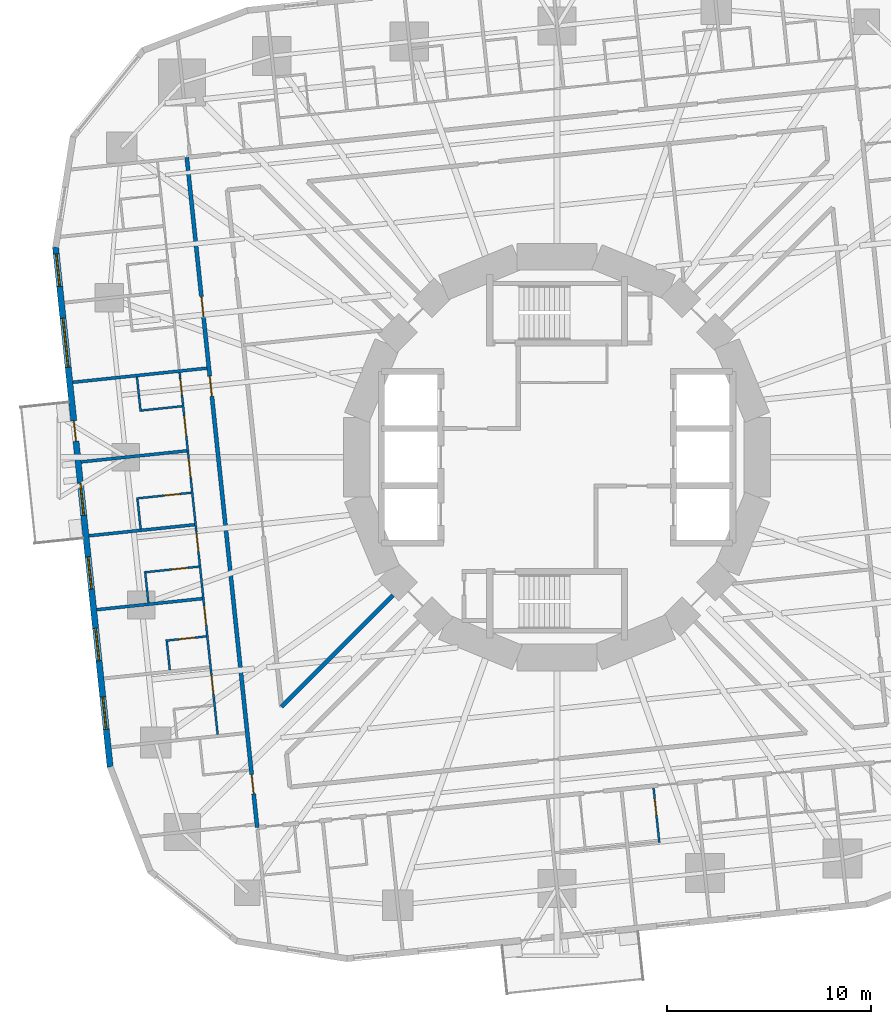
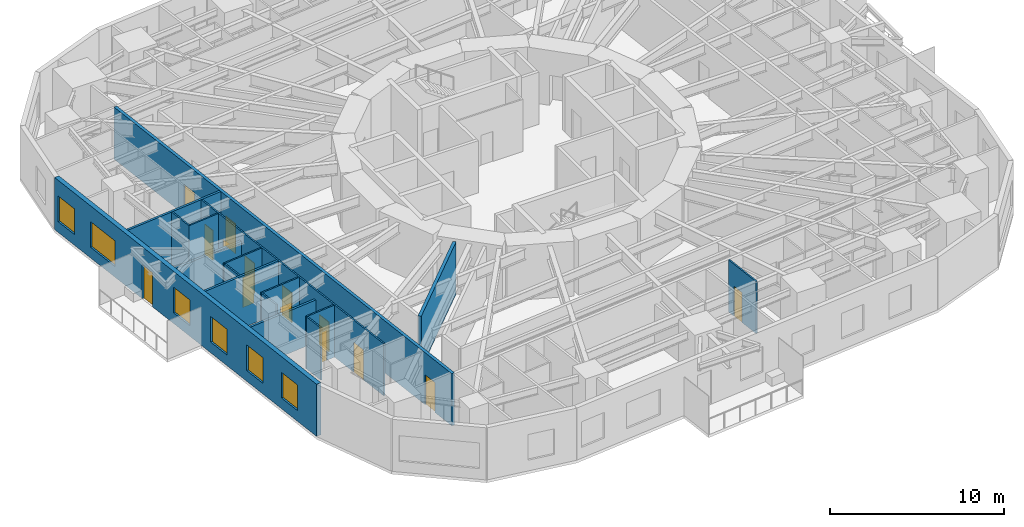
# One storey, part 6 of 15: 17 walls, 14 doors, 6 windows, 20 openings.
"""IFC4 building model written with IfcOpenShell, lengths in metres."""

from ifc_helpers import new_model, si_unit, direction, frame, frame_2d, origin, place, context, subcontext, project, spatial, rectangle, extrude, material, layer, layer_set, type_object, element, fill, save


model = new_model("IFC4")

# Units and contexts
model_context = context("Model", 3, precision=1e-05, world=origin(), true_north=direction((0.0, 1.0)))
body_context = subcontext(model_context, "Body", "Model", "MODEL_VIEW")
ifc_project = project(units=[si_unit("LENGTHUNIT", "METRE"), si_unit("AREAUNIT", "SQUARE_METRE"), si_unit("VOLUMEUNIT", "CUBIC_METRE"), si_unit("PLANEANGLEUNIT", "RADIAN"), si_unit("MASSUNIT", "GRAM", prefix="KILO")], contexts=[model_context])

# Site, building, storey
site_placement = place(None, origin())
site = spatial("IfcSite", under=ifc_project, at=site_placement, CompositionType="ELEMENT")
building_placement = place(site_placement, origin())
building = spatial("IfcBuilding", under=site, at=building_placement, Name="Nakasero Lantern House", CompositionType="ELEMENT")
storey_placement = place(building_placement, frame((0.0, 0.0, 68.199951171875)))
storey = spatial("IfcBuildingStorey", under=building, at=storey_placement, Name="L16", CompositionType="ELEMENT", Elevation=68.199951171875)

# Wall, openings, doors
ifc_material_1 = material(Name="Blockwork", Category="masonry")
ifc_layer_1 = layer(ifc_material_1, 0.10009765625)
ifc_layer_set_1 = layer_set([ifc_layer_1], Name="Cluster hall wall 100")
wall_type_1 = type_object("IfcWallType", Name="Cluster hall wall 100", PredefinedType="PARTITIONING", material=ifc_layer_set_1)
wall_1_placement = place(storey_placement, frame((-18.484375, 4.143798828125, 0.0), z_axis=(0.0, 0.0, 1.0), x_axis=(0.104524313484, -0.994522331519, 0.0)))
wall_1 = element("IfcWall", 1, at=wall_1_placement, inside=storey, type_object=wall_type_1, Name="Cluster hall wall L16 HW2-1", PredefinedType="PARTITIONING", context=body_context, shape_type="SweptSolid", body=[
    extrude(rectangle(XDim=17.8193359375, YDim=0.10009765625, at=frame_2d((8.90966796875, 0.0))), origin(), (0.0, 0.0, 1.0), 3.650146484375),
])
opening_1_placement = place(wall_1_placement, frame((2.125, 0.0, 0.0)))
opening_1 = element("IfcOpeningElement", 2, at=opening_1_placement, cuts=wall_1, Name="Opening D03", PredefinedType="OPENING", context=body_context, shape_type="SweptSolid", body=[
    extrude(rectangle(XDim=1.0, YDim=2.10009765625, at=frame_2d((0.5, 1.050048828125))), frame((0.0, 0.070068359375, 0.0), z_axis=(0.0, -1.0, 0.0), x_axis=(1.0, 0.0, 0.0)), (0.0, 0.0, 1.0), 0.14013671875),
])
opening_2_placement = place(wall_1_placement, frame((0.300048828125, 0.0, 0.0)))
opening_2 = element("IfcOpeningElement", 3, at=opening_2_placement, cuts=wall_1, Name="Opening D02", PredefinedType="OPENING", context=body_context, shape_type="SweptSolid", body=[
    extrude(rectangle(XDim=0.800048828125, YDim=2.10009765625, at=frame_2d((0.39990234375, 1.050048828125))), frame((0.0, 0.070068359375, 0.0), z_axis=(0.0, -1.0, 0.0), x_axis=(1.0, 0.0, 0.0)), (0.0, 0.0, 1.0), 0.14013671875),
])
opening_3_placement = place(wall_1_placement, frame((4.22119140625, 0.0, 0.0)))
opening_3 = element("IfcOpeningElement", 4, at=opening_3_placement, cuts=wall_1, Name="Opening D01", PredefinedType="OPENING", context=body_context, shape_type="SweptSolid", body=[
    extrude(rectangle(XDim=0.949951171875, YDim=2.10009765625, at=frame_2d((0.47509765625, 1.050048828125))), frame((0.0, 0.070068359375, 0.0), z_axis=(0.0, -1.0, 0.0), x_axis=(1.0, 0.0, 0.0)), (0.0, 0.0, 1.0), 0.14013671875),
])
opening_4_placement = place(wall_1_placement, frame((7.859619140625, 0.0, 0.0)))
opening_4 = element("IfcOpeningElement", 5, at=opening_4_placement, cuts=wall_1, Name="Opening D01", PredefinedType="OPENING", context=body_context, shape_type="SweptSolid", body=[
    extrude(rectangle(XDim=0.949951171875, YDim=2.10009765625, at=frame_2d((0.47509765625, 1.050048828125))), frame((0.0, 0.070068359375, 0.0), z_axis=(0.0, -1.0, 0.0), x_axis=(1.0, 0.0, 0.0)), (0.0, 0.0, 1.0), 0.14013671875),
])
opening_5_placement = place(wall_1_placement, frame((11.498291015625, 0.0, 0.0)))
opening_5 = element("IfcOpeningElement", 6, at=opening_5_placement, cuts=wall_1, Name="Opening D01", PredefinedType="OPENING", context=body_context, shape_type="SweptSolid", body=[
    extrude(rectangle(XDim=0.949951171875, YDim=2.10009765625, at=frame_2d((0.47509765625, 1.050048828125))), frame((0.0, 0.070068359375, 0.0), z_axis=(0.0, -1.0, 0.0), x_axis=(1.0, 0.0, 0.0)), (0.0, 0.0, 1.0), 0.14013671875),
])
opening_6_placement = place(wall_1_placement, frame((14.8837890625, 0.0, 0.0)))
opening_6 = element("IfcOpeningElement", 7, at=opening_6_placement, cuts=wall_1, Name="Opening D01", PredefinedType="OPENING", context=body_context, shape_type="SweptSolid", body=[
    extrude(rectangle(XDim=0.949951171875, YDim=2.10009765625, at=frame_2d((0.47509765625, 1.050048828125))), frame((0.0, 0.070068359375, 0.0), z_axis=(0.0, -1.0, 0.0), x_axis=(1.0, 0.0, 0.0)), (0.0, 0.0, 1.0), 0.14013671875),
])
ifc_material_2 = material(Name="Timber C24", Category="wood")
door_type_1 = type_object("IfcDoorType", Name="Bedroom door FD30S 950", OperationType="SINGLE_SWING_LEFT", PredefinedType="DOOR", material=ifc_material_2)
door_1_placement = place(opening_3_placement, origin())
door_1 = element("IfcDoor", 8, at=door_1_placement, inside=storey, type_object=door_type_1, Name="Door L16 D2-04", OperationType="SINGLE_SWING_LEFT", OverallHeight=2.10009765625, OverallWidth=0.949951171875, PredefinedType="DOOR", context=body_context, shape_type="SweptSolid", body=[
    extrude(rectangle(XDim=0.949951171875, YDim=2.10009765625, at=frame_2d((0.47509765625, 1.050048828125))), frame((0.0, 0.02490234375, 0.0), z_axis=(0.0, -1.0, 0.0), x_axis=(1.0, 0.0, 0.0)), (0.0, 0.0, 1.0), 0.050048828125),
])
fill(opening_3, door_1)
door_2_placement = place(opening_4_placement, origin())
door_2 = element("IfcDoor", 9, at=door_2_placement, inside=storey, type_object=door_type_1, Name="Door L16 D2-05", OperationType="SINGLE_SWING_LEFT", OverallHeight=2.10009765625, OverallWidth=0.949951171875, PredefinedType="DOOR", context=body_context, shape_type="SweptSolid", body=[
    extrude(rectangle(XDim=0.949951171875, YDim=2.10009765625, at=frame_2d((0.47509765625, 1.050048828125))), frame((0.0, 0.02490234375, 0.0), z_axis=(0.0, -1.0, 0.0), x_axis=(1.0, 0.0, 0.0)), (0.0, 0.0, 1.0), 0.050048828125),
])
fill(opening_4, door_2)
door_3_placement = place(opening_5_placement, origin())
door_3 = element("IfcDoor", 10, at=door_3_placement, inside=storey, type_object=door_type_1, Name="Door L16 D2-06", OperationType="SINGLE_SWING_RIGHT", OverallHeight=2.10009765625, OverallWidth=0.949951171875, PredefinedType="DOOR", context=body_context, shape_type="SweptSolid", body=[
    extrude(rectangle(XDim=0.949951171875, YDim=2.10009765625, at=frame_2d((0.47509765625, 1.050048828125))), frame((0.0, 0.02490234375, 0.0), z_axis=(0.0, -1.0, 0.0), x_axis=(1.0, 0.0, 0.0)), (0.0, 0.0, 1.0), 0.050048828125),
])
fill(opening_5, door_3)
door_4_placement = place(opening_6_placement, origin())
door_4 = element("IfcDoor", 11, at=door_4_placement, inside=storey, type_object=door_type_1, Name="Door L16 D2-07", OperationType="SINGLE_SWING_RIGHT", OverallHeight=2.10009765625, OverallWidth=0.949951171875, PredefinedType="DOOR", context=body_context, shape_type="SweptSolid", body=[
    extrude(rectangle(XDim=0.949951171875, YDim=2.10009765625, at=frame_2d((0.47509765625, 1.050048828125))), frame((0.0, 0.02490234375, 0.0), z_axis=(0.0, -1.0, 0.0), x_axis=(1.0, 0.0, 0.0)), (0.0, 0.0, 1.0), 0.050048828125),
])
fill(opening_6, door_4)
ifc_material_3 = material(Name="Timber C24", Category="wood")
door_type_2 = type_object("IfcDoorType", Name="En-suite door 800", OperationType="SINGLE_SWING_RIGHT", PredefinedType="DOOR", material=ifc_material_3)
door_5_placement = place(opening_2_placement, origin())
door_5 = element("IfcDoor", 12, at=door_5_placement, inside=storey, type_object=door_type_2, Name="Door L16 DSH2-1", OperationType="SINGLE_SWING_LEFT", OverallHeight=2.10009765625, OverallWidth=0.800048828125, PredefinedType="DOOR", context=body_context, shape_type="SweptSolid", body=[
    extrude(rectangle(XDim=0.800048828125, YDim=2.10009765625, at=frame_2d((0.39990234375, 1.050048828125))), frame((0.0, 0.02490234375, 0.0), z_axis=(0.0, -1.0, 0.0), x_axis=(1.0, 0.0, 0.0)), (0.0, 0.0, 1.0), 0.050048828125),
])
fill(opening_2, door_5)
ifc_material_4 = material(Name="Timber C24", Category="wood")
door_type_3 = type_object("IfcDoorType", Name="Lounge door FD30S 1000", OperationType="SINGLE_SWING_LEFT", PredefinedType="DOOR", material=ifc_material_4)
door_6_placement = place(opening_1_placement, origin())
door_6 = element("IfcDoor", 13, at=door_6_placement, inside=storey, type_object=door_type_3, Name="Door L16 DH2-1", OperationType="SINGLE_SWING_LEFT", OverallHeight=2.10009765625, OverallWidth=1.0, PredefinedType="DOOR", context=body_context, shape_type="SweptSolid", body=[
    extrude(rectangle(XDim=1.0, YDim=2.10009765625, at=frame_2d((0.5, 1.050048828125))), frame((0.0, 0.02490234375, 0.0), z_axis=(0.0, -1.0, 0.0), x_axis=(1.0, 0.0, 0.0)), (0.0, 0.0, 1.0), 0.050048828125),
])
fill(opening_1, door_6)

ifc_material_5 = material(Name="Blockwork", Category="masonry")
ifc_layer_2 = layer(ifc_material_5, 0.199951171875)
ifc_layer_set_2 = layer_set([ifc_layer_2], Name="Corridor wall 200")
wall_type_2 = type_object("IfcWallType", Name="Corridor wall 200", PredefinedType="PARTITIONING", material=ifc_layer_set_2)
wall_2_placement = place(storey_placement, frame((-18.13427734375, 14.684814453125, 0.0), z_axis=(0.0, 0.0, 1.0), x_axis=(0.10452958258, -0.994521777723, 0.0)))
wall_2 = element("IfcWall", 14, at=wall_2_placement, inside=storey, type_object=wall_type_2, Name="Corridor wall L16 CW2", PredefinedType="PARTITIONING", context=body_context, shape_type="SweptSolid", body=[
    extrude(rectangle(XDim=32.999755859375, YDim=0.199951171875, at=frame_2d((16.5, 0.0))), origin(), (0.0, 0.0, 1.0), 3.650146484375),
])
opening_7_placement = place(wall_2_placement, frame((6.8505859375, 0.0, 0.0)))
opening_7 = element("IfcOpeningElement", 15, at=opening_7_placement, cuts=wall_2, Name="Opening D14", PredefinedType="OPENING", context=body_context, shape_type="SweptSolid", body=[
    extrude(rectangle(XDim=1.0, YDim=2.10009765625, at=frame_2d((0.5, 1.050048828125))), frame((0.0, 0.119873046875, 0.0), z_axis=(0.0, -1.0, 0.0), x_axis=(1.0, 0.0, 0.0)), (0.0, 0.0, 1.0), 0.239990234375),
])
opening_8_placement = place(wall_2_placement, frame((10.771728515625, 0.0, 0.0)))
opening_8 = element("IfcOpeningElement", 16, at=opening_8_placement, cuts=wall_2, Name="Opening D14", PredefinedType="OPENING", context=body_context, shape_type="SweptSolid", body=[
    extrude(rectangle(XDim=1.0, YDim=2.10009765625, at=frame_2d((0.5, 1.050048828125))), frame((0.0, 0.119873046875, 0.0), z_axis=(0.0, -1.0, 0.0), x_axis=(1.0, 0.0, 0.0)), (0.0, 0.0, 1.0), 0.239990234375),
])
opening_9_placement = place(wall_2_placement, frame((30.39111328125, 0.0, 0.0)))
opening_9 = element("IfcOpeningElement", 17, at=opening_9_placement, cuts=wall_2, Name="Opening D01", PredefinedType="OPENING", context=body_context, shape_type="SweptSolid", body=[
    extrude(rectangle(XDim=0.949951171875, YDim=2.10009765625, at=frame_2d((0.47509765625, 1.050048828125))), frame((0.0, 0.119873046875, 0.0), z_axis=(0.0, -1.0, 0.0), x_axis=(1.0, 0.0, 0.0)), (0.0, 0.0, 1.0), 0.239990234375),
])
door_7_placement = place(opening_9_placement, origin())
door_7 = element("IfcDoor", 18, at=door_7_placement, inside=storey, type_object=door_type_1, Name="Door L16 D2-08", OperationType="SINGLE_SWING_RIGHT", OverallHeight=2.10009765625, OverallWidth=0.949951171875, PredefinedType="DOOR", context=body_context, shape_type="SweptSolid", body=[
    extrude(rectangle(XDim=0.949951171875, YDim=2.10009765625, at=frame_2d((0.47509765625, 1.050048828125))), frame((0.0, 0.02490234375, 0.0), z_axis=(0.0, -1.0, 0.0), x_axis=(1.0, 0.0, 0.0)), (0.0, 0.0, 1.0), 0.050048828125),
])
fill(opening_9, door_7)
ifc_material_6 = material(Name="Timber C24", Category="wood")
door_type_4 = type_object("IfcDoorType", Name="Cluster entrance door FD30S 1000", OperationType="SINGLE_SWING_LEFT", PredefinedType="DOOR", material=ifc_material_6)
door_8_placement = place(opening_7_placement, origin())
door_8 = element("IfcDoor", 19, at=door_8_placement, inside=storey, type_object=door_type_4, Name="Door L16 DF2-0", OperationType="SINGLE_SWING_LEFT", OverallHeight=2.10009765625, OverallWidth=1.0, PredefinedType="DOOR", context=body_context, shape_type="SweptSolid", body=[
    extrude(rectangle(XDim=1.0, YDim=2.10009765625, at=frame_2d((0.5, 1.050048828125))), frame((0.0, 0.02490234375, 0.0), z_axis=(0.0, -1.0, 0.0), x_axis=(1.0, 0.0, 0.0)), (0.0, 0.0, 1.0), 0.050048828125),
])
fill(opening_7, door_8)
door_9_placement = place(opening_8_placement, origin())
door_9 = element("IfcDoor", 20, at=door_9_placement, inside=storey, type_object=door_type_4, Name="Door L16 DF2-1", OperationType="SINGLE_SWING_LEFT", OverallHeight=2.10009765625, OverallWidth=1.0, PredefinedType="DOOR", context=body_context, shape_type="SweptSolid", body=[
    extrude(rectangle(XDim=1.0, YDim=2.10009765625, at=frame_2d((0.5, 1.050048828125))), frame((0.0, 0.02490234375, 0.0), z_axis=(0.0, -1.0, 0.0), x_axis=(1.0, 0.0, 0.0)), (0.0, 0.0, 1.0), 0.050048828125),
])
fill(opening_8, door_9)

# Walls
wall_3_placement = place(storey_placement, frame((-8.03125, -6.758544921875, 0.0), z_axis=(0.0, 0.0, 1.0), x_axis=(-0.707122575573, -0.707090986447, 0.0)))
element("IfcWall", 21, at=wall_3_placement, inside=storey, type_object=wall_type_2, Name="Corridor wall L16 PS10b", PredefinedType="PARTITIONING", context=body_context, shape_type="SweptSolid", body=[
    extrude(rectangle(XDim=7.728515625, YDim=0.199951171875, at=frame_2d((3.8642578125, 0.0))), origin(), (0.0, 0.0, 1.0), 3.650146484375),
])
ifc_material_7 = material(Name="Blockwork", Category="masonry")
ifc_layer_3 = layer(ifc_material_7, 0.10009765625)
ifc_layer_set_3 = layer_set([ifc_layer_3], Name="En-suite wall 100")
wall_type_3 = type_object("IfcWallType", Name="En-suite wall 100", PredefinedType="PARTITIONING", material=ifc_layer_set_3)
wall_4_placement = place(storey_placement, frame((-18.361572265625, 2.49755859375, 0.0), z_axis=(0.0, 0.0, 1.0), x_axis=(-0.994523910136, -0.104509292252, 0.0)))
element("IfcWall", 22, at=wall_4_placement, inside=storey, type_object=wall_type_3, Name="En-suite wall L16 SS2-1", PredefinedType="PARTITIONING", context=body_context, shape_type="SweptSolid", body=[
    extrude(rectangle(XDim=2.10009765625, YDim=0.10009765625, at=frame_2d((1.050048828125, 0.0))), origin(), (0.0, 0.0, 1.0), 3.650146484375),
])
wall_5_placement = place(storey_placement, frame((-20.572998046875, 3.92431640625, 0.0), z_axis=(0.0, 0.0, 1.0), x_axis=(0.104550220202, -0.994519608382, 0.0)))
element("IfcWall", 23, at=wall_5_placement, inside=storey, type_object=wall_type_3, Name="En-suite wall L16 SE2-1", PredefinedType="PARTITIONING", context=body_context, shape_type="SweptSolid", body=[
    extrude(rectangle(XDim=1.699951171875, YDim=0.10009765625, at=frame_2d((0.85009765625, 0.0))), origin(), (0.0, 0.0, 1.0), 3.650146484375),
])

# Wall, opening, door
wall_6_placement = place(storey_placement, frame((-17.91650390625, -1.73876953125, 0.0), z_axis=(0.0, 0.0, 1.0), x_axis=(-0.994521297289, -0.104534153452, 0.0)))
wall_6 = element("IfcWall", 24, at=wall_6_placement, inside=storey, type_object=wall_type_3, Name="En-suite wall L16 ES2-04", PredefinedType="PARTITIONING", context=body_context, shape_type="SweptSolid", body=[
    extrude(rectangle(XDim=2.699951171875, YDim=0.10009765625, at=frame_2d((1.35009765625, 0.0))), origin(), (0.0, 0.0, 1.0), 3.650146484375),
])
opening_10_placement = place(wall_6_placement, frame((0.550048828125, 0.0, 0.0)))
opening_10 = element("IfcOpeningElement", 25, at=opening_10_placement, cuts=wall_6, Name="Opening D02", PredefinedType="OPENING", context=body_context, shape_type="SweptSolid", body=[
    extrude(rectangle(XDim=0.800048828125, YDim=2.10009765625, at=frame_2d((0.39990234375, 1.050048828125))), frame((0.0, 0.070068359375, 0.0), z_axis=(0.0, -1.0, 0.0), x_axis=(1.0, 0.0, 0.0)), (0.0, 0.0, 1.0), 0.14013671875),
])
door_10_placement = place(opening_10_placement, origin())
door_10 = element("IfcDoor", 26, at=door_10_placement, inside=storey, type_object=door_type_2, Name="Door L16 DE2-04", OperationType="SINGLE_SWING_LEFT", OverallHeight=2.10009765625, OverallWidth=0.800048828125, PredefinedType="DOOR", context=body_context, shape_type="SweptSolid", body=[
    extrude(rectangle(XDim=0.800048828125, YDim=2.10009765625, at=frame_2d((0.39990234375, 1.050048828125))), frame((0.0, 0.02490234375, 0.0), z_axis=(0.0, -1.0, 0.0), x_axis=(1.0, 0.0, 0.0)), (0.0, 0.0, 1.0), 0.050048828125),
])
fill(opening_10, door_10)

# Wall
wall_7_placement = place(storey_placement, frame((-20.546630859375, -2.0654296875, 0.0), z_axis=(0.0, 0.0, 1.0), x_axis=(0.10455332221, -0.994519282274, 0.0)))
element("IfcWall", 27, at=wall_7_placement, inside=storey, type_object=wall_type_3, Name="En-suite wall L16 EE2-04", PredefinedType="PARTITIONING", context=body_context, shape_type="SweptSolid", body=[
    extrude(rectangle(XDim=1.4501953125, YDim=0.10009765625, at=frame_2d((0.72509765625, 0.0))), origin(), (0.0, 0.0, 1.0), 3.650146484375),
])

# Wall, opening, door
wall_8_placement = place(storey_placement, frame((-17.5361328125, -5.357421875, 0.0), z_axis=(0.0, 0.0, 1.0), x_axis=(-0.994521297289, -0.104534153452, 0.0)))
wall_8 = element("IfcWall", 28, at=wall_8_placement, inside=storey, type_object=wall_type_3, Name="En-suite wall L16 ES2-05", PredefinedType="PARTITIONING", context=body_context, shape_type="SweptSolid", body=[
    extrude(rectangle(XDim=2.699951171875, YDim=0.10009765625, at=frame_2d((1.35009765625, 0.0))), origin(), (0.0, 0.0, 1.0), 3.650146484375),
])
opening_11_placement = place(wall_8_placement, frame((0.550048828125, 0.0, 0.0)))
opening_11 = element("IfcOpeningElement", 29, at=opening_11_placement, cuts=wall_8, Name="Opening D02", PredefinedType="OPENING", context=body_context, shape_type="SweptSolid", body=[
    extrude(rectangle(XDim=0.800048828125, YDim=2.10009765625, at=frame_2d((0.39990234375, 1.050048828125))), frame((0.0, 0.070068359375, 0.0), z_axis=(0.0, -1.0, 0.0), x_axis=(1.0, 0.0, 0.0)), (0.0, 0.0, 1.0), 0.14013671875),
])
door_11_placement = place(opening_11_placement, origin())
door_11 = element("IfcDoor", 30, at=door_11_placement, inside=storey, type_object=door_type_2, Name="Door L16 DE2-05", OperationType="SINGLE_SWING_LEFT", OverallHeight=2.10009765625, OverallWidth=0.800048828125, PredefinedType="DOOR", context=body_context, shape_type="SweptSolid", body=[
    extrude(rectangle(XDim=0.800048828125, YDim=2.10009765625, at=frame_2d((0.39990234375, 1.050048828125))), frame((0.0, 0.02490234375, 0.0), z_axis=(0.0, -1.0, 0.0), x_axis=(1.0, 0.0, 0.0)), (0.0, 0.0, 1.0), 0.050048828125),
])
fill(opening_11, door_11)

# Wall
wall_9_placement = place(storey_placement, frame((-20.166259765625, -5.68408203125, 0.0), z_axis=(0.0, 0.0, 1.0), x_axis=(0.10455332221, -0.994519282274, 0.0)))
element("IfcWall", 31, at=wall_9_placement, inside=storey, type_object=wall_type_3, Name="En-suite wall L16 EE2-05", PredefinedType="PARTITIONING", context=body_context, shape_type="SweptSolid", body=[
    extrude(rectangle(XDim=1.4501953125, YDim=0.10009765625, at=frame_2d((0.72509765625, 0.0))), origin(), (0.0, 0.0, 1.0), 3.650146484375),
])

# Wall, opening, door
wall_10_placement = place(storey_placement, frame((-17.177001953125, -8.774169921875, 0.0), z_axis=(0.0, 0.0, 1.0), x_axis=(-0.99452550138, -0.104494148666, 0.0)))
wall_10 = element("IfcWall", 32, at=wall_10_placement, inside=storey, type_object=wall_type_3, Name="En-suite wall L16 ES2-06", PredefinedType="PARTITIONING", context=body_context, shape_type="SweptSolid", body=[
    extrude(rectangle(XDim=2.0, YDim=0.10009765625, at=frame_2d((1.0, 0.0))), origin(), (0.0, 0.0, 1.0), 3.650146484375),
])
opening_12_placement = place(wall_10_placement, frame((0.550048828125, 0.0, 0.0)))
opening_12 = element("IfcOpeningElement", 33, at=opening_12_placement, cuts=wall_10, Name="Opening D02", PredefinedType="OPENING", context=body_context, shape_type="SweptSolid", body=[
    extrude(rectangle(XDim=0.800048828125, YDim=2.10009765625, at=frame_2d((0.39990234375, 1.050048828125))), frame((0.0, 0.070068359375, 0.0), z_axis=(0.0, -1.0, 0.0), x_axis=(1.0, 0.0, 0.0)), (0.0, 0.0, 1.0), 0.14013671875),
])
door_12_placement = place(opening_12_placement, origin())
door_12 = element("IfcDoor", 34, at=door_12_placement, inside=storey, type_object=door_type_2, Name="Door L16 DE2-06", OperationType="SINGLE_SWING_LEFT", OverallHeight=2.10009765625, OverallWidth=0.800048828125, PredefinedType="DOOR", context=body_context, shape_type="SweptSolid", body=[
    extrude(rectangle(XDim=0.800048828125, YDim=2.10009765625, at=frame_2d((0.39990234375, 1.050048828125))), frame((0.0, 0.02490234375, 0.0), z_axis=(0.0, -1.0, 0.0), x_axis=(1.0, 0.0, 0.0)), (0.0, 0.0, 1.0), 0.050048828125),
])
fill(opening_12, door_12)

# Wall
wall_11_placement = place(storey_placement, frame((-19.111083984375, -9.027587890625, 0.0), z_axis=(0.0, 0.0, 1.0), x_axis=(0.104630319263, -0.994511184598, 0.0)))
element("IfcWall", 35, at=wall_11_placement, inside=storey, type_object=wall_type_3, Name="En-suite wall L16 EE2-06", PredefinedType="PARTITIONING", context=body_context, shape_type="SweptSolid", body=[
    extrude(rectangle(XDim=1.39990234375, YDim=0.10009765625, at=frame_2d((0.699951171875, 0.0))), origin(), (0.0, 0.0, 1.0), 3.650146484375),
])

# Wall, opening, door
wall_12_placement = place(storey_placement, frame((4.72509765625, -16.19482421875, 0.0), z_axis=(0.0, 0.0, 1.0), x_axis=(0.104524753323, -0.994522285292, 0.0)))
wall_12 = element("IfcWall", 36, at=wall_12_placement, inside=storey, type_object=wall_type_3, Name="En-suite wall L16 ES3-05", PredefinedType="PARTITIONING", context=body_context, shape_type="SweptSolid", body=[
    extrude(rectangle(XDim=2.7001953125, YDim=0.10009765625, at=frame_2d((1.35009765625, 0.0))), origin(), (0.0, 0.0, 1.0), 3.650146484375),
])
opening_13_placement = place(wall_12_placement, frame((0.550048828125, 0.0, 0.0)))
opening_13 = element("IfcOpeningElement", 37, at=opening_13_placement, cuts=wall_12, Name="Opening D02", PredefinedType="OPENING", context=body_context, shape_type="SweptSolid", body=[
    extrude(rectangle(XDim=0.800048828125, YDim=2.10009765625, at=frame_2d((0.39990234375, 1.050048828125))), frame((0.0, 0.070068359375, 0.0), z_axis=(0.0, -1.0, 0.0), x_axis=(1.0, 0.0, 0.0)), (0.0, 0.0, 1.0), 0.14013671875),
])
door_13_placement = place(opening_13_placement, origin())
door_13 = element("IfcDoor", 38, at=door_13_placement, inside=storey, type_object=door_type_2, Name="Door L16 DE3-05", OperationType="SINGLE_SWING_LEFT", OverallHeight=2.10009765625, OverallWidth=0.800048828125, PredefinedType="DOOR", context=body_context, shape_type="SweptSolid", body=[
    extrude(rectangle(XDim=0.800048828125, YDim=2.10009765625, at=frame_2d((0.39990234375, 1.050048828125))), frame((0.0, 0.02490234375, 0.0), z_axis=(0.0, -1.0, 0.0), x_axis=(1.0, 0.0, 0.0)), (0.0, 0.0, 1.0), 0.050048828125),
])
fill(opening_13, door_13)

# Wall, openings, door, windows
ifc_material_8 = material(Name="Aluminium rainscreen on blockwork", Category="masonry")
ifc_layer_4 = layer(ifc_material_8, 0.300048828125)
ifc_layer_set_4 = layer_set([ifc_layer_4], Name="Facade wall 300")
wall_type_4 = type_object("IfcWallType", Name="Facade wall 300", PredefinedType="SOLIDWALL", material=ifc_layer_set_4)
wall_13_placement = place(storey_placement, frame((-24.56005859375, 10.2890625, 0.0), z_axis=(0.0, 0.0, 1.0), x_axis=(0.104532378096, -0.994521483895, 0.0)))
wall_13 = element("IfcWall", 39, at=wall_13_placement, inside=storey, type_object=wall_type_4, Name="Facade wall L16 FW2S", PredefinedType="SOLIDWALL", context=body_context, shape_type="SweptSolid", body=[
    extrude(rectangle(XDim=25.599853515625, YDim=0.300048828125, at=frame_2d((12.7998046875, 0.0))), origin(), (0.0, 0.0, 1.0), 3.650146484375),
])
opening_14_placement = place(wall_13_placement, frame((0.337890625, 0.0, 0.75)))
opening_14 = element("IfcOpeningElement", 40, at=opening_14_placement, cuts=wall_13, Name="Opening W01", PredefinedType="OPENING", context=body_context, shape_type="SweptSolid", body=[
    extrude(rectangle(XDim=1.60009765625, YDim=1.800048828125, at=frame_2d((0.800048828125, 0.89990234375))), frame((0.0, 0.169921875, 0.0), z_axis=(0.0, -1.0, 0.0), x_axis=(1.0, 0.0, 0.0)), (0.0, 0.0, 1.0), 0.340087890625),
])
opening_15_placement = place(wall_13_placement, frame((11.612060546875, 0.0, 0.75)))
opening_15 = element("IfcOpeningElement", 41, at=opening_15_placement, cuts=wall_13, Name="Opening W01", PredefinedType="OPENING", context=body_context, shape_type="SweptSolid", body=[
    extrude(rectangle(XDim=1.60009765625, YDim=1.800048828125, at=frame_2d((0.800048828125, 0.89990234375))), frame((0.0, 0.169921875, 0.0), z_axis=(0.0, -1.0, 0.0), x_axis=(1.0, 0.0, 0.0)), (0.0, 0.0, 1.0), 0.340087890625),
])
opening_16_placement = place(wall_13_placement, frame((15.250732421875, 0.0, 0.75)))
opening_16 = element("IfcOpeningElement", 42, at=opening_16_placement, cuts=wall_13, Name="Opening W01", PredefinedType="OPENING", context=body_context, shape_type="SweptSolid", body=[
    extrude(rectangle(XDim=1.60009765625, YDim=1.800048828125, at=frame_2d((0.800048828125, 0.89990234375))), frame((0.0, 0.169921875, 0.0), z_axis=(0.0, -1.0, 0.0), x_axis=(1.0, 0.0, 0.0)), (0.0, 0.0, 1.0), 0.340087890625),
])
opening_17_placement = place(wall_13_placement, frame((18.7626953125, 0.0, 0.75)))
opening_17 = element("IfcOpeningElement", 43, at=opening_17_placement, cuts=wall_13, Name="Opening W01", PredefinedType="OPENING", context=body_context, shape_type="SweptSolid", body=[
    extrude(rectangle(XDim=1.60009765625, YDim=1.800048828125, at=frame_2d((0.800048828125, 0.89990234375))), frame((0.0, 0.169921875, 0.0), z_axis=(0.0, -1.0, 0.0), x_axis=(1.0, 0.0, 0.0)), (0.0, 0.0, 1.0), 0.340087890625),
])
opening_18_placement = place(wall_13_placement, frame((22.1484375, 0.0, 0.75)))
opening_18 = element("IfcOpeningElement", 44, at=opening_18_placement, cuts=wall_13, Name="Opening W01", PredefinedType="OPENING", context=body_context, shape_type="SweptSolid", body=[
    extrude(rectangle(XDim=1.60009765625, YDim=1.800048828125, at=frame_2d((0.800048828125, 0.89990234375))), frame((0.0, 0.169921875, 0.0), z_axis=(0.0, -1.0, 0.0), x_axis=(1.0, 0.0, 0.0)), (0.0, 0.0, 1.0), 0.340087890625),
])
opening_19_placement = place(wall_13_placement, frame((3.51123046875, 0.0, 0.75)))
opening_19 = element("IfcOpeningElement", 45, at=opening_19_placement, cuts=wall_13, Name="Opening W03", PredefinedType="OPENING", context=body_context, shape_type="SweptSolid", body=[
    extrude(rectangle(XDim=2.39990234375, YDim=1.800048828125, at=frame_2d((1.199951171875, 0.89990234375))), frame((0.0, 0.169921875, 0.0), z_axis=(0.0, -1.0, 0.0), x_axis=(1.0, 0.0, 0.0)), (0.0, 0.0, 1.0), 0.340087890625),
])
opening_20_placement = place(wall_13_placement, frame((8.558837890625, 0.0, 0.0)))
opening_20 = element("IfcOpeningElement", 46, at=opening_20_placement, cuts=wall_13, Name="Opening D04", PredefinedType="OPENING", context=body_context, shape_type="SweptSolid", body=[
    extrude(rectangle(XDim=1.0, YDim=2.39990234375, at=frame_2d((0.5, 1.199951171875))), frame((0.0, 0.169921875, 0.0), z_axis=(0.0, -1.0, 0.0), x_axis=(1.0, 0.0, 0.0)), (0.0, 0.0, 1.0), 0.340087890625),
])
ifc_material_9 = material(Name="Aluminium 6063-T6 and glass", Category="aluminium")
door_type_5 = type_object("IfcDoorType", Name="Balcony door 1000x2400", OperationType="SINGLE_SWING_RIGHT", PredefinedType="DOOR", material=ifc_material_9)
door_14_placement = place(opening_20_placement, origin())
door_14 = element("IfcDoor", 47, at=door_14_placement, inside=storey, type_object=door_type_5, Name="Balcony door L16 DB2", OperationType="SINGLE_SWING_RIGHT", OverallHeight=2.39990234375, OverallWidth=1.0, PredefinedType="DOOR", context=body_context, shape_type="SweptSolid", body=[
    extrude(rectangle(XDim=1.0, YDim=2.39990234375, at=frame_2d((0.5, 1.199951171875))), frame((0.0, 0.02490234375, 0.0), z_axis=(0.0, -1.0, 0.0), x_axis=(1.0, 0.0, 0.0)), (0.0, 0.0, 1.0), 0.050048828125),
])
fill(opening_20, door_14)
ifc_material_10 = material(Name="Aluminium 6063-T6 and glass", Category="aluminium")
window_type_1 = type_object("IfcWindowType", Name="Bedroom window 1600x1800", PartitioningType="SINGLE_PANEL", PredefinedType="WINDOW", material=ifc_material_10)
window_1_placement = place(opening_14_placement, origin())
window_1 = element("IfcWindow", 48, at=window_1_placement, inside=storey, type_object=window_type_1, Name="Window L16 WN2-01", OverallHeight=1.800048828125, OverallWidth=1.60009765625, PartitioningType="SINGLE_PANEL", PredefinedType="WINDOW", context=body_context, shape_type="SweptSolid", body=[
    extrude(rectangle(XDim=1.60009765625, YDim=1.800048828125, at=frame_2d((0.800048828125, 0.89990234375))), frame((0.0, 0.030029296875, 0.0), z_axis=(0.0, -1.0, 0.0), x_axis=(1.0, 0.0, 0.0)), (0.0, 0.0, 1.0), 0.06005859375),
])
fill(opening_14, window_1)
window_2_placement = place(opening_15_placement, origin())
window_2 = element("IfcWindow", 49, at=window_2_placement, inside=storey, type_object=window_type_1, Name="Window L16 WN2-04", OverallHeight=1.800048828125, OverallWidth=1.60009765625, PartitioningType="SINGLE_PANEL", PredefinedType="WINDOW", context=body_context, shape_type="SweptSolid", body=[
    extrude(rectangle(XDim=1.60009765625, YDim=1.800048828125, at=frame_2d((0.800048828125, 0.89990234375))), frame((0.0, 0.030029296875, 0.0), z_axis=(0.0, -1.0, 0.0), x_axis=(1.0, 0.0, 0.0)), (0.0, 0.0, 1.0), 0.06005859375),
])
fill(opening_15, window_2)
window_3_placement = place(opening_16_placement, origin())
window_3 = element("IfcWindow", 50, at=window_3_placement, inside=storey, type_object=window_type_1, Name="Window L16 WN2-05", OverallHeight=1.800048828125, OverallWidth=1.60009765625, PartitioningType="SINGLE_PANEL", PredefinedType="WINDOW", context=body_context, shape_type="SweptSolid", body=[
    extrude(rectangle(XDim=1.60009765625, YDim=1.800048828125, at=frame_2d((0.800048828125, 0.89990234375))), frame((0.0, 0.030029296875, 0.0), z_axis=(0.0, -1.0, 0.0), x_axis=(1.0, 0.0, 0.0)), (0.0, 0.0, 1.0), 0.06005859375),
])
fill(opening_16, window_3)
window_4_placement = place(opening_17_placement, origin())
window_4 = element("IfcWindow", 51, at=window_4_placement, inside=storey, type_object=window_type_1, Name="Window L16 WN2-06", OverallHeight=1.800048828125, OverallWidth=1.60009765625, PartitioningType="SINGLE_PANEL", PredefinedType="WINDOW", context=body_context, shape_type="SweptSolid", body=[
    extrude(rectangle(XDim=1.60009765625, YDim=1.800048828125, at=frame_2d((0.800048828125, 0.89990234375))), frame((0.0, 0.030029296875, 0.0), z_axis=(0.0, -1.0, 0.0), x_axis=(1.0, 0.0, 0.0)), (0.0, 0.0, 1.0), 0.06005859375),
])
fill(opening_17, window_4)
window_5_placement = place(opening_18_placement, origin())
window_5 = element("IfcWindow", 52, at=window_5_placement, inside=storey, type_object=window_type_1, Name="Window L16 WN2-07", OverallHeight=1.800048828125, OverallWidth=1.60009765625, PartitioningType="SINGLE_PANEL", PredefinedType="WINDOW", context=body_context, shape_type="SweptSolid", body=[
    extrude(rectangle(XDim=1.60009765625, YDim=1.800048828125, at=frame_2d((0.800048828125, 0.89990234375))), frame((0.0, 0.030029296875, 0.0), z_axis=(0.0, -1.0, 0.0), x_axis=(1.0, 0.0, 0.0)), (0.0, 0.0, 1.0), 0.06005859375),
])
fill(opening_18, window_5)
ifc_material_11 = material(Name="Aluminium 6063-T6 and glass", Category="aluminium")
window_type_2 = type_object("IfcWindowType", Name="Lounge window 2400x1800", PartitioningType="SINGLE_PANEL", PredefinedType="WINDOW", material=ifc_material_11)
window_6_placement = place(opening_19_placement, origin())
window_6 = element("IfcWindow", 53, at=window_6_placement, inside=storey, type_object=window_type_2, Name="Window L16 WK2", OverallHeight=1.800048828125, OverallWidth=2.39990234375, PartitioningType="SINGLE_PANEL", PredefinedType="WINDOW", context=body_context, shape_type="SweptSolid", body=[
    extrude(rectangle(XDim=2.39990234375, YDim=1.800048828125, at=frame_2d((1.199951171875, 0.89990234375))), frame((0.0, 0.030029296875, 0.0), z_axis=(0.0, -1.0, 0.0), x_axis=(1.0, 0.0, 0.0)), (0.0, 0.0, 1.0), 0.06005859375),
])
fill(opening_19, window_6)

# Walls
ifc_material_12 = material(Name="Blockwork", Category="masonry")
ifc_layer_5 = layer(ifc_material_12, 0.14990234375)
ifc_layer_set_5 = layer_set([ifc_layer_5], Name="Party wall 150")
wall_type_5 = type_object("IfcWallType", Name="Party wall 150", PredefinedType="PARTITIONING", material=ifc_layer_set_5)
wall_14_placement = place(storey_placement, frame((-17.149658203125, 4.359619140625, 0.0), z_axis=(0.0, 0.0, 1.0), x_axis=(-0.994520846901, -0.104538438287, 0.0)))
element("IfcWall", 54, at=wall_14_placement, inside=storey, type_object=wall_type_5, Name="Party wall L16 PW2-03", PredefinedType="PARTITIONING", context=body_context, shape_type="SweptSolid", body=[
    extrude(rectangle(XDim=6.599853515625, YDim=0.14990234375, at=frame_2d((3.2998046875, 0.0))), origin(), (0.0, 0.0, 1.0), 3.650146484375),
])
wall_15_placement = place(storey_placement, frame((-18.132080078125, 0.3134765625, 0.0), z_axis=(0.0, 0.0, 1.0), x_axis=(-0.994523959761, -0.104508820017, 0.0)))
element("IfcWall", 55, at=wall_15_placement, inside=storey, type_object=wall_type_5, Name="Party wall L16 PW2-04", PredefinedType="PARTITIONING", context=body_context, shape_type="SweptSolid", body=[
    extrude(rectangle(XDim=5.2001953125, YDim=0.14990234375, at=frame_2d((2.60009765625, 0.0))), origin(), (0.0, 0.0, 1.0), 2.966552734375),
])
wall_16_placement = place(storey_placement, frame((-17.751708984375, -3.30517578125, 0.0), z_axis=(0.0, 0.0, 1.0), x_axis=(-0.994523959761, -0.104508820017, 0.0)))
element("IfcWall", 56, at=wall_16_placement, inside=storey, type_object=wall_type_5, Name="Party wall L16 PW2-05", PredefinedType="PARTITIONING", context=body_context, shape_type="SweptSolid", body=[
    extrude(rectangle(XDim=5.2001953125, YDim=0.14990234375, at=frame_2d((2.60009765625, 0.0))), origin(), (0.0, 0.0, 1.0), 3.650146484375),
])
wall_17_placement = place(storey_placement, frame((-17.371337890625, -6.923828125, 0.0), z_axis=(0.0, 0.0, 1.0), x_axis=(-0.994523959761, -0.104508820017, 0.0)))
element("IfcWall", 57, at=wall_17_placement, inside=storey, type_object=wall_type_5, Name="Party wall L16 PW2-06", PredefinedType="PARTITIONING", context=body_context, shape_type="SweptSolid", body=[
    extrude(rectangle(XDim=5.2001953125, YDim=0.14990234375, at=frame_2d((2.60009765625, 0.0))), origin(), (0.0, 0.0, 1.0), 2.966552734375),
])

save(model, "model.ifc")
